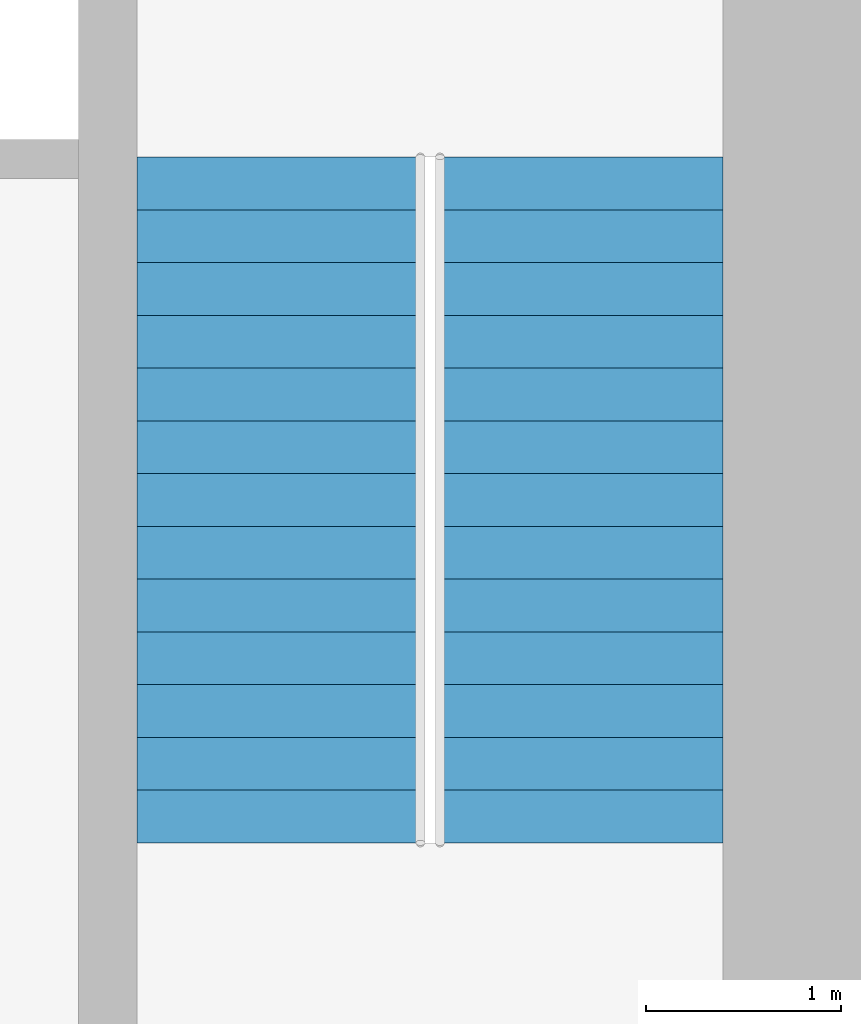
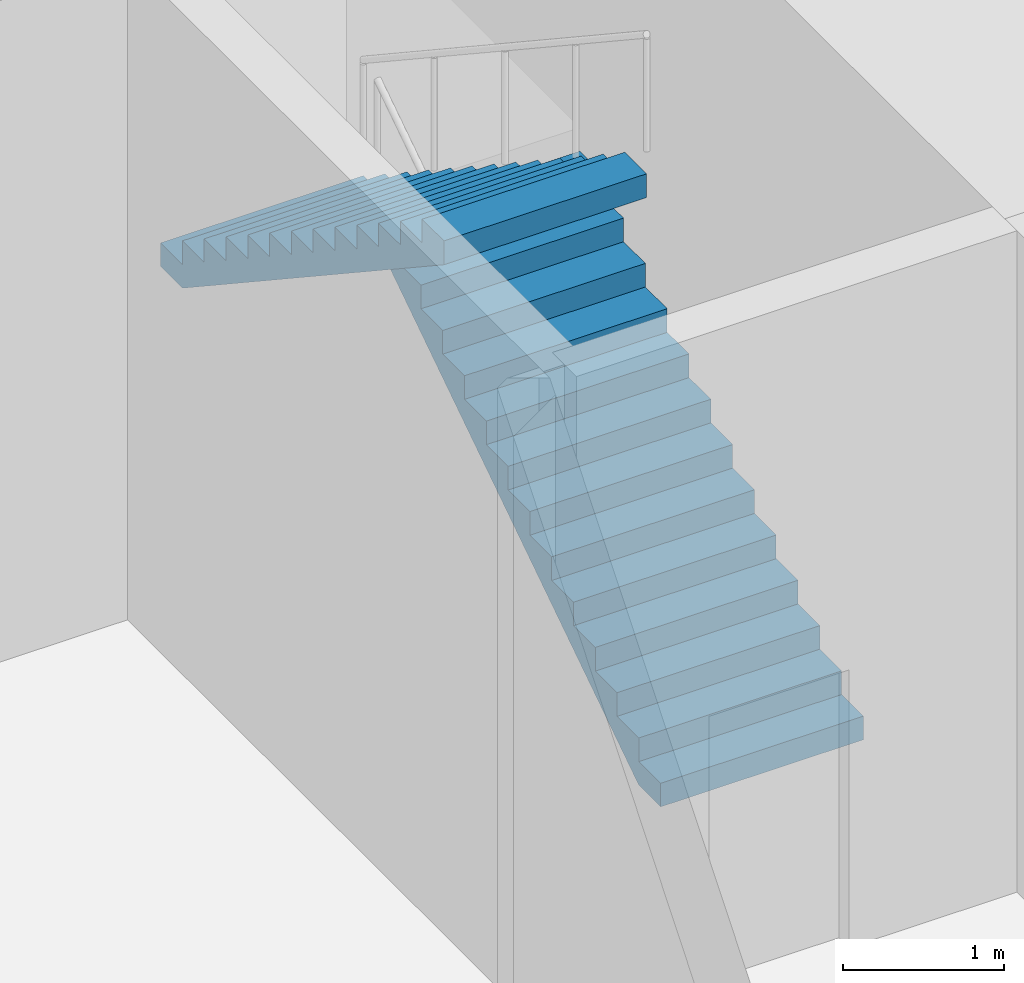
# One storey, part 6 of 7: 2 stair flights, 1 element without a shape of its own.
"""IFC4 building model written with IfcOpenShell, lengths in metres."""

from ifc_helpers import new_model, si_unit, direction, frame, origin, place, context, subcontext, project, spatial, polyline, outline, extrude, material, type_object, element, aggregate, save


model = new_model("IFC4")

# Units and contexts
model_context = context("Model", 3, precision=1e-05, world=origin(), true_north=direction((0.0, 1.0)))
body_context = subcontext(model_context, "Body", "Model", "MODEL_VIEW")
ifc_project = project(units=[si_unit("LENGTHUNIT", "METRE"), si_unit("AREAUNIT", "SQUARE_METRE"), si_unit("VOLUMEUNIT", "CUBIC_METRE"), si_unit("PLANEANGLEUNIT", "RADIAN"), si_unit("MASSUNIT", "GRAM", prefix="KILO")], contexts=[model_context])

# Site, building, storey
site_placement = place(None, origin())
site = spatial("IfcSite", under=ifc_project, at=site_placement, CompositionType="ELEMENT")
building_placement = place(site_placement, origin())
building = spatial("IfcBuilding", under=site, at=building_placement, Name="Cleftline Residences", CompositionType="ELEMENT")
storey_placement = place(building_placement, frame((0.0, 0.0, 291.60009765625)))
storey = spatial("IfcBuildingStorey", under=building, at=storey_placement, Name="L76", CompositionType="ELEMENT", Elevation=291.60009765625)

# Stair, stair flights
ifc_material_1 = material(Name="Concrete B45, stone treads", Category="masonry")
stair_type = type_object("IfcStairType", Name="STAIR B 1450 WIDE 179 RISER", PredefinedType="HALF_TURN_STAIR", material=ifc_material_1)
stair_placement = place(storey_placement, origin())
stair = element("IfcStair", 1, at=stair_placement, inside=storey, type_object=stair_type, Name="Stair B L76", PredefinedType="HALF_TURN_STAIR")
ifc_material_2 = material(Name="Concrete B45", Category="concrete")
stair_flight_type = type_object("IfcStairFlightType", Name="STAIR B FLIGHT 1450X179", PredefinedType="STRAIGHT", material=ifc_material_2)
stair_flight_1_placement = place(storey_placement, frame((40.27490234375, 26.60009765625, 0.0), z_axis=(0.0, 0.0, 1.0), x_axis=(0.0, 1.0, 0.0)))
stair_flight_1 = element("IfcStairFlight", 2, at=stair_flight_1_placement, type_object=stair_flight_type, Name="ST-B flight 1", NumberOfRisers=14, NumberOfTreads=13, PredefinedType="STRAIGHT", RiserHeight=0.178571429, TreadLength=0.27, context=body_context, shape_type="SweptSolid", body=[
    extrude(outline(polyline([(0.0, 0.0), (0.0, 0.013671875), (0.0, 0.027587890625), (0.0, 0.041259765625), (0.0, 0.054931640625), (0.0, 0.068603515625), (0.0, 0.08251953125), (0.0, 0.09619140625), (0.0, 0.10986328125), (0.0, 0.12353515625), (0.0, 0.137451171875), (0.0, 0.151123046875), (0.0, 0.164794921875), (0.0, 0.178466796875), (0.27001953125, 0.178466796875), (0.27001953125, 0.357177734375), (0.5400390625, 0.357177734375), (0.5400390625, 0.53564453125), (0.81005859375, 0.53564453125), (0.81005859375, 0.71435546875), (1.080078125, 0.71435546875), (1.080078125, 0.892822265625), (1.35009765625, 0.892822265625), (1.35009765625, 1.071533203125), (1.6201171875, 1.071533203125), (1.6201171875, 1.25), (1.889892578125, 1.25), (1.889892578125, 1.428466796875), (2.159912109375, 1.428466796875), (2.159912109375, 1.607177734375), (2.429931640625, 1.607177734375), (2.429931640625, 1.78564453125), (2.699951171875, 1.78564453125), (2.699951171875, 1.96435546875), (2.969970703125, 1.96435546875), (2.969970703125, 2.142822265625), (3.239990234375, 2.142822265625), (3.239990234375, 2.321533203125), (3.510009765625, 2.321533203125), (3.510009765625, 2.5), (3.510009765625, 2.472412109375), (3.510009765625, 2.44482421875), (3.510009765625, 2.417236328125), (3.510009765625, 2.3896484375), (3.510009765625, 2.3623046875), (3.510009765625, 2.334716796875), (3.510009765625, 2.30712890625), (3.510009765625, 2.279541015625), (3.510009765625, 2.251953125), (3.510009765625, 2.224365234375), (3.510009765625, 2.19677734375), (3.510009765625, 2.169189453125), (3.510009765625, 2.1416015625), (0.271728515625, 0.0), (0.0, 0.0)])), frame((0.0, 0.72509765625, 0.0), z_axis=(0.0, -1.0, 0.0), x_axis=(1.0, 0.0, 0.0)), (0.0, 0.0, 1.0), 1.449951171875),
])
stair_flight_2_placement = place(storey_placement, frame((38.72509765625, 30.110107421875, 2.5), z_axis=(0.0, 0.0, 1.0), x_axis=(0.0, -1.0, 0.0)))
stair_flight_2 = element("IfcStairFlight", 3, at=stair_flight_2_placement, type_object=stair_flight_type, Name="ST-B flight 2", NumberOfRisers=14, NumberOfTreads=13, PredefinedType="STRAIGHT", RiserHeight=0.178571429, TreadLength=0.27, context=body_context, shape_type="SweptSolid", body=[
    extrude(outline(polyline([(0.0, 0.0), (0.0, 0.013671875), (0.0, 0.027587890625), (0.0, 0.041259765625), (0.0, 0.054931640625), (0.0, 0.068603515625), (0.0, 0.08251953125), (0.0, 0.09619140625), (0.0, 0.10986328125), (0.0, 0.12353515625), (0.0, 0.137451171875), (0.0, 0.151123046875), (0.0, 0.164794921875), (0.0, 0.178466796875), (0.27001953125, 0.178466796875), (0.27001953125, 0.357177734375), (0.5400390625, 0.357177734375), (0.5400390625, 0.53564453125), (0.81005859375, 0.53564453125), (0.81005859375, 0.71435546875), (1.080078125, 0.71435546875), (1.080078125, 0.892822265625), (1.35009765625, 0.892822265625), (1.35009765625, 1.071533203125), (1.6201171875, 1.071533203125), (1.6201171875, 1.25), (1.889892578125, 1.25), (1.889892578125, 1.428466796875), (2.159912109375, 1.428466796875), (2.159912109375, 1.607177734375), (2.429931640625, 1.607177734375), (2.429931640625, 1.78564453125), (2.699951171875, 1.78564453125), (2.699951171875, 1.96435546875), (2.969970703125, 1.96435546875), (2.969970703125, 2.142822265625), (3.239990234375, 2.142822265625), (3.239990234375, 2.321533203125), (3.510009765625, 2.321533203125), (3.510009765625, 2.5), (3.510009765625, 2.472412109375), (3.510009765625, 2.44482421875), (3.510009765625, 2.417236328125), (3.510009765625, 2.3896484375), (3.510009765625, 2.3623046875), (3.510009765625, 2.334716796875), (3.510009765625, 2.30712890625), (3.510009765625, 2.279541015625), (3.510009765625, 2.251953125), (3.510009765625, 2.224365234375), (3.510009765625, 2.19677734375), (3.510009765625, 2.169189453125), (3.510009765625, 2.1416015625), (0.271728515625, 0.0), (0.0, 0.0)])), frame((0.0, 0.72509765625, 0.0), z_axis=(0.0, -1.0, 0.0), x_axis=(1.0, 0.0, 0.0)), (0.0, 0.0, 1.0), 1.449951171875),
])
aggregate(stair, [stair_flight_1, stair_flight_2])

save(model, "model.ifc")
